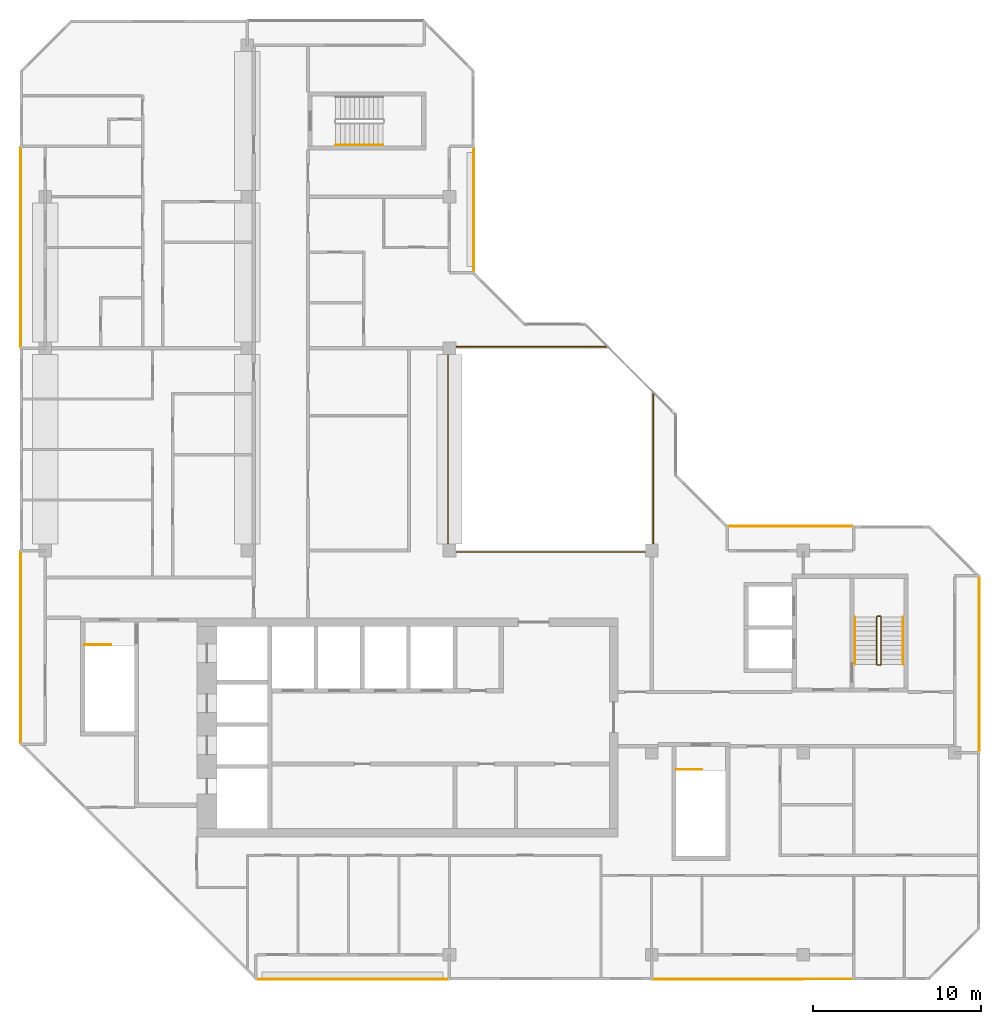
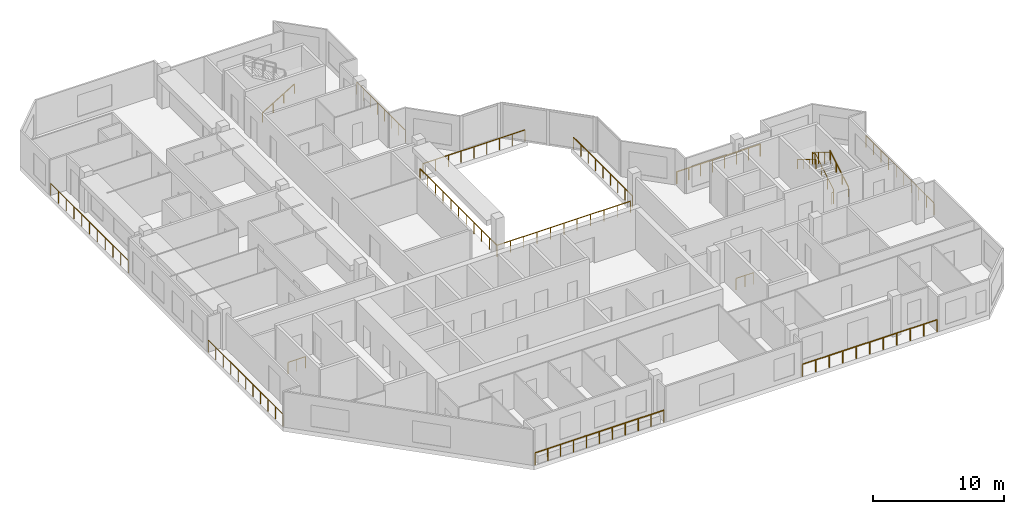
# One storey, part 10 of 11: 16 railings.
"""IFC4 building model written with IfcOpenShell, lengths in metres."""

from ifc_helpers import new_model, si_unit, direction, frame, origin, origin_2d, place, context, subcontext, project, spatial, rectangle, extrude, material, type_object, element, save


model = new_model("IFC4")

# Units and contexts
model_context = context("Model", 3, precision=1e-05, world=origin(), true_north=direction((0.0, 1.0)))
body_context = subcontext(model_context, "Body", "Model", "MODEL_VIEW")
ifc_project = project(units=[si_unit("LENGTHUNIT", "METRE"), si_unit("AREAUNIT", "SQUARE_METRE"), si_unit("VOLUMEUNIT", "CUBIC_METRE"), si_unit("PLANEANGLEUNIT", "RADIAN"), si_unit("MASSUNIT", "GRAM", prefix="KILO")], contexts=[model_context])

# Site, building, storey
site_placement = place(None, origin())
site = spatial("IfcSite", under=ifc_project, at=site_placement, CompositionType="ELEMENT")
building_placement = place(site_placement, origin())
building = spatial("IfcBuilding", under=site, at=building_placement, Name="Chenar Terraces", CompositionType="ELEMENT")
storey_placement = place(building_placement, frame((0.0, 0.0, 380.14990234375)))
storey = spatial("IfcBuildingStorey", under=building, at=storey_placement, Name="L89", CompositionType="ELEMENT", Elevation=380.14990234375)

# Railings
ifc_material_1 = material(Name="Powder-coated steel", Category="steel")
railing_type_1 = type_object("IfcRailingType", Name="Guard 1100 steel rail with glass infill", PredefinedType="GUARDRAIL", material=ifc_material_1)
railing_1_placement = place(storey_placement, frame((23.89990234375, 35.625, 0.0)))
element("IfcRailing", 1, at=railing_1_placement, inside=storey, type_object=railing_type_1, Name="Guard L89-1", PredefinedType="GUARDRAIL", context=body_context, shape_type="SweptSolid", body=[
    extrude(rectangle(XDim=0.06005859375, YDim=0.06005859375, at=origin_2d()), frame((0.0, 0.0, 1.070068359375), z_axis=(0.0, -1.0, 0.0), x_axis=(1.0, 0.0, 0.0)), (0.0, 0.0, 1.0), 11.72509765625),
    extrude(rectangle(XDim=0.06005859375, YDim=0.06005859375, at=origin_2d()), frame((0.0, -11.72509765625, 1.070068359375), z_axis=(1.0, 0.0, 0.0), x_axis=(0.0, 1.0, 0.0)), (0.0, 0.0, 1.0), 11.72509765625),
    extrude(rectangle(XDim=0.050048828125, YDim=0.050048828125, at=origin_2d()), origin(), (0.0, 0.0, 1.0), 1.0400390625),
    extrude(rectangle(XDim=0.050048828125, YDim=0.050048828125, at=origin_2d()), frame((0.0, -1.172607421875, 0.0)), (0.0, 0.0, 1.0), 1.0400390625),
    extrude(rectangle(XDim=0.050048828125, YDim=0.050048828125, at=origin_2d()), frame((0.0, -2.344970703125, 0.0)), (0.0, 0.0, 1.0), 1.0400390625),
    extrude(rectangle(XDim=0.050048828125, YDim=0.050048828125, at=origin_2d()), frame((0.0, -3.517578125, 0.0)), (0.0, 0.0, 1.0), 1.0400390625),
    extrude(rectangle(XDim=0.050048828125, YDim=0.050048828125, at=origin_2d()), frame((0.0, -4.68994140625, 0.0)), (0.0, 0.0, 1.0), 1.0400390625),
    extrude(rectangle(XDim=0.050048828125, YDim=0.050048828125, at=origin_2d()), frame((0.0, -5.862548828125, 0.0)), (0.0, 0.0, 1.0), 1.0400390625),
    extrude(rectangle(XDim=0.050048828125, YDim=0.050048828125, at=origin_2d()), frame((0.0, -7.03515625, 0.0)), (0.0, 0.0, 1.0), 1.0400390625),
    extrude(rectangle(XDim=0.050048828125, YDim=0.050048828125, at=origin_2d()), frame((0.0, -8.20751953125, 0.0)), (0.0, 0.0, 1.0), 1.0400390625),
    extrude(rectangle(XDim=0.050048828125, YDim=0.050048828125, at=origin_2d()), frame((0.0, -9.380126953125, 0.0)), (0.0, 0.0, 1.0), 1.0400390625),
    extrude(rectangle(XDim=0.050048828125, YDim=0.050048828125, at=origin_2d()), frame((0.0, -10.552490234375, 0.0)), (0.0, 0.0, 1.0), 1.0400390625),
    extrude(rectangle(XDim=0.050048828125, YDim=0.050048828125, at=origin_2d()), frame((0.0, -11.72509765625, 0.0)), (0.0, 0.0, 1.0), 1.0400390625),
    extrude(rectangle(XDim=0.050048828125, YDim=0.050048828125, at=origin_2d()), frame((1.172607421875, -11.72509765625, 0.0)), (0.0, 0.0, 1.0), 1.0400390625),
    extrude(rectangle(XDim=0.050048828125, YDim=0.050048828125, at=origin_2d()), frame((2.344970703125, -11.72509765625, 0.0)), (0.0, 0.0, 1.0), 1.0400390625),
    extrude(rectangle(XDim=0.050048828125, YDim=0.050048828125, at=origin_2d()), frame((3.517578125, -11.72509765625, 0.0)), (0.0, 0.0, 1.0), 1.0400390625),
    extrude(rectangle(XDim=0.050048828125, YDim=0.050048828125, at=origin_2d()), frame((4.68994140625, -11.72509765625, 0.0)), (0.0, 0.0, 1.0), 1.0400390625),
    extrude(rectangle(XDim=0.050048828125, YDim=0.050048828125, at=origin_2d()), frame((5.862548828125, -11.72509765625, 0.0)), (0.0, 0.0, 1.0), 1.0400390625),
    extrude(rectangle(XDim=0.050048828125, YDim=0.050048828125, at=origin_2d()), frame((7.03515625, -11.72509765625, 0.0)), (0.0, 0.0, 1.0), 1.0400390625),
    extrude(rectangle(XDim=0.050048828125, YDim=0.050048828125, at=origin_2d()), frame((8.20751953125, -11.72509765625, 0.0)), (0.0, 0.0, 1.0), 1.0400390625),
    extrude(rectangle(XDim=0.050048828125, YDim=0.050048828125, at=origin_2d()), frame((9.380126953125, -11.72509765625, 0.0)), (0.0, 0.0, 1.0), 1.0400390625),
    extrude(rectangle(XDim=0.050048828125, YDim=0.050048828125, at=origin_2d()), frame((10.552490234375, -11.72509765625, 0.0)), (0.0, 0.0, 1.0), 1.0400390625),
    extrude(rectangle(XDim=0.050048828125, YDim=0.050048828125, at=origin_2d()), frame((11.72509765625, -11.72509765625, 0.0)), (0.0, 0.0, 1.0), 1.0400390625),
])
railing_2_placement = place(storey_placement, frame((24.425048828125, 36.10009765625, 0.0)))
element("IfcRailing", 2, at=railing_2_placement, inside=storey, type_object=railing_type_1, Name="Guard L89-2", PredefinedType="GUARDRAIL", context=body_context, shape_type="SweptSolid", body=[
    extrude(rectangle(XDim=0.06005859375, YDim=0.06005859375, at=origin_2d()), frame((0.0, 0.0, 1.070068359375), z_axis=(1.0, 0.0, 0.0), x_axis=(0.0, 1.0, 0.0)), (0.0, 0.0, 1.0), 8.974853515625),
    extrude(rectangle(XDim=0.050048828125, YDim=0.050048828125, at=origin_2d()), origin(), (0.0, 0.0, 1.0), 1.0400390625),
    extrude(rectangle(XDim=0.050048828125, YDim=0.050048828125, at=origin_2d()), frame((1.121826171875, 0.0, 0.0)), (0.0, 0.0, 1.0), 1.0400390625),
    extrude(rectangle(XDim=0.050048828125, YDim=0.050048828125, at=origin_2d()), frame((2.24365234375, 0.0, 0.0)), (0.0, 0.0, 1.0), 1.0400390625),
    extrude(rectangle(XDim=0.050048828125, YDim=0.050048828125, at=origin_2d()), frame((3.365478515625, 0.0, 0.0)), (0.0, 0.0, 1.0), 1.0400390625),
    extrude(rectangle(XDim=0.050048828125, YDim=0.050048828125, at=origin_2d()), frame((4.4873046875, 0.0, 0.0)), (0.0, 0.0, 1.0), 1.0400390625),
    extrude(rectangle(XDim=0.050048828125, YDim=0.050048828125, at=origin_2d()), frame((5.609375, 0.0, 0.0)), (0.0, 0.0, 1.0), 1.0400390625),
    extrude(rectangle(XDim=0.050048828125, YDim=0.050048828125, at=origin_2d()), frame((6.731201171875, 0.0, 0.0)), (0.0, 0.0, 1.0), 1.0400390625),
    extrude(rectangle(XDim=0.050048828125, YDim=0.050048828125, at=origin_2d()), frame((7.85302734375, 0.0, 0.0)), (0.0, 0.0, 1.0), 1.0400390625),
    extrude(rectangle(XDim=0.050048828125, YDim=0.050048828125, at=origin_2d()), frame((8.974853515625, 0.0, 0.0)), (0.0, 0.0, 1.0), 1.0400390625),
])
railing_3_placement = place(storey_placement, frame((36.10009765625, 24.425048828125, 0.0)))
element("IfcRailing", 3, at=railing_3_placement, inside=storey, type_object=railing_type_1, Name="Guard L89-3", PredefinedType="GUARDRAIL", context=body_context, shape_type="SweptSolid", body=[
    extrude(rectangle(XDim=0.06005859375, YDim=0.06005859375, at=origin_2d()), frame((0.0, 0.0, 1.070068359375), z_axis=(0.0, 1.0, 0.0), x_axis=(-1.0, 0.0, 0.0)), (0.0, 0.0, 1.0), 8.974853515625),
    extrude(rectangle(XDim=0.050048828125, YDim=0.050048828125, at=origin_2d()), origin(), (0.0, 0.0, 1.0), 1.0400390625),
    extrude(rectangle(XDim=0.050048828125, YDim=0.050048828125, at=origin_2d()), frame((0.0, 1.121826171875, 0.0)), (0.0, 0.0, 1.0), 1.0400390625),
    extrude(rectangle(XDim=0.050048828125, YDim=0.050048828125, at=origin_2d()), frame((0.0, 2.24365234375, 0.0)), (0.0, 0.0, 1.0), 1.0400390625),
    extrude(rectangle(XDim=0.050048828125, YDim=0.050048828125, at=origin_2d()), frame((0.0, 3.365478515625, 0.0)), (0.0, 0.0, 1.0), 1.0400390625),
    extrude(rectangle(XDim=0.050048828125, YDim=0.050048828125, at=origin_2d()), frame((0.0, 4.4873046875, 0.0)), (0.0, 0.0, 1.0), 1.0400390625),
    extrude(rectangle(XDim=0.050048828125, YDim=0.050048828125, at=origin_2d()), frame((0.0, 5.609375, 0.0)), (0.0, 0.0, 1.0), 1.0400390625),
    extrude(rectangle(XDim=0.050048828125, YDim=0.050048828125, at=origin_2d()), frame((0.0, 6.731201171875, 0.0)), (0.0, 0.0, 1.0), 1.0400390625),
    extrude(rectangle(XDim=0.050048828125, YDim=0.050048828125, at=origin_2d()), frame((0.0, 7.85302734375, 0.0)), (0.0, 0.0, 1.0), 1.0400390625),
    extrude(rectangle(XDim=0.050048828125, YDim=0.050048828125, at=origin_2d()), frame((0.0, 8.974853515625, 0.0)), (0.0, 0.0, 1.0), 1.0400390625),
])
ifc_material_2 = material(Name="Stainless steel and glass", Category="steel")
railing_type_2 = type_object("IfcRailingType", Name="Loggia guard 1150", PredefinedType="GUARDRAIL", material=ifc_material_2)
railing_4_placement = place(storey_placement, frame((25.449951171875, 40.574951171875, 0.0)))
element("IfcRailing", 4, at=railing_4_placement, inside=storey, type_object=railing_type_2, Name="Loggia guard", PredefinedType="GUARDRAIL", context=body_context, shape_type="SweptSolid", body=[
    extrude(rectangle(XDim=0.048095703125, YDim=0.048095703125, at=origin_2d()), frame((0.0, 0.0, 1.1259765625), z_axis=(0.0, 1.0, 0.0), x_axis=(-1.0, 0.0, 0.0)), (0.0, 0.0, 1.0), 7.35009765625),
    extrude(rectangle(XDim=0.0419921875, YDim=0.0419921875, at=origin_2d()), origin(), (0.0, 0.0, 1.0), 1.101806640625),
    extrude(rectangle(XDim=0.0419921875, YDim=0.0419921875, at=origin_2d()), frame((0.0, 1.050048828125, 0.0)), (0.0, 0.0, 1.0), 1.101806640625),
    extrude(rectangle(XDim=0.0419921875, YDim=0.0419921875, at=origin_2d()), frame((0.0, 2.10009765625, 0.0)), (0.0, 0.0, 1.0), 1.101806640625),
    extrude(rectangle(XDim=0.0419921875, YDim=0.0419921875, at=origin_2d()), frame((0.0, 3.150146484375, 0.0)), (0.0, 0.0, 1.0), 1.101806640625),
    extrude(rectangle(XDim=0.0419921875, YDim=0.0419921875, at=origin_2d()), frame((0.0, 4.199951171875, 0.0)), (0.0, 0.0, 1.0), 1.101806640625),
    extrude(rectangle(XDim=0.0419921875, YDim=0.0419921875, at=origin_2d()), frame((0.0, 5.25, 0.0)), (0.0, 0.0, 1.0), 1.101806640625),
    extrude(rectangle(XDim=0.0419921875, YDim=0.0419921875, at=origin_2d()), frame((0.0, 6.300048828125, 0.0)), (0.0, 0.0, 1.0), 1.101806640625),
    extrude(rectangle(XDim=0.0419921875, YDim=0.0419921875, at=origin_2d()), frame((0.0, 7.35009765625, 0.0)), (0.0, 0.0, 1.0), 1.101806640625),
])
railing_5_placement = place(storey_placement, frame((55.449951171875, 12.074951171875, 0.0)))
element("IfcRailing", 5, at=railing_5_placement, inside=storey, type_object=railing_type_2, Name="Loggia guard", PredefinedType="GUARDRAIL", context=body_context, shape_type="SweptSolid", body=[
    extrude(rectangle(XDim=0.048095703125, YDim=0.048095703125, at=origin_2d()), frame((0.0, 0.0, 1.1259765625), z_axis=(0.0, 1.0, 0.0), x_axis=(-1.0, 0.0, 0.0)), (0.0, 0.0, 1.0), 10.35009765625),
    extrude(rectangle(XDim=0.0419921875, YDim=0.0419921875, at=origin_2d()), origin(), (0.0, 0.0, 1.0), 1.101806640625),
    extrude(rectangle(XDim=0.0419921875, YDim=0.0419921875, at=origin_2d()), frame((0.0, 1.14990234375, 0.0)), (0.0, 0.0, 1.0), 1.101806640625),
    extrude(rectangle(XDim=0.0419921875, YDim=0.0419921875, at=origin_2d()), frame((0.0, 2.300048828125, 0.0)), (0.0, 0.0, 1.0), 1.101806640625),
    extrude(rectangle(XDim=0.0419921875, YDim=0.0419921875, at=origin_2d()), frame((0.0, 3.449951171875, 0.0)), (0.0, 0.0, 1.0), 1.101806640625),
    extrude(rectangle(XDim=0.0419921875, YDim=0.0419921875, at=origin_2d()), frame((0.0, 4.60009765625, 0.0)), (0.0, 0.0, 1.0), 1.101806640625),
    extrude(rectangle(XDim=0.0419921875, YDim=0.0419921875, at=origin_2d()), frame((0.0, 5.75, 0.0)), (0.0, 0.0, 1.0), 1.101806640625),
    extrude(rectangle(XDim=0.0419921875, YDim=0.0419921875, at=origin_2d()), frame((0.0, 6.900146484375, 0.0)), (0.0, 0.0, 1.0), 1.101806640625),
    extrude(rectangle(XDim=0.0419921875, YDim=0.0419921875, at=origin_2d()), frame((0.0, 8.050048828125, 0.0)), (0.0, 0.0, 1.0), 1.101806640625),
    extrude(rectangle(XDim=0.0419921875, YDim=0.0419921875, at=origin_2d()), frame((0.0, 9.2001953125, 0.0)), (0.0, 0.0, 1.0), 1.101806640625),
    extrude(rectangle(XDim=0.0419921875, YDim=0.0419921875, at=origin_2d()), frame((0.0, 10.35009765625, 0.0)), (0.0, 0.0, 1.0), 1.101806640625),
])
railing_6_placement = place(storey_placement, frame((47.925048828125, 25.449951171875, 0.0)))
element("IfcRailing", 6, at=railing_6_placement, inside=storey, type_object=railing_type_2, Name="Loggia guard", PredefinedType="GUARDRAIL", context=body_context, shape_type="SweptSolid", body=[
    extrude(rectangle(XDim=0.048095703125, YDim=0.048095703125, at=origin_2d()), frame((0.0, 0.0, 1.1259765625), z_axis=(-1.0, 0.0, 0.0), x_axis=(0.0, -1.0, 0.0)), (0.0, 0.0, 1.0), 7.35009765625),
    extrude(rectangle(XDim=0.0419921875, YDim=0.0419921875, at=origin_2d()), origin(), (0.0, 0.0, 1.0), 1.101806640625),
    extrude(rectangle(XDim=0.0419921875, YDim=0.0419921875, at=origin_2d()), frame((-1.050048828125, 0.0, 0.0)), (0.0, 0.0, 1.0), 1.101806640625),
    extrude(rectangle(XDim=0.0419921875, YDim=0.0419921875, at=origin_2d()), frame((-2.10009765625, 0.0, 0.0)), (0.0, 0.0, 1.0), 1.101806640625),
    extrude(rectangle(XDim=0.0419921875, YDim=0.0419921875, at=origin_2d()), frame((-3.150146484375, 0.0, 0.0)), (0.0, 0.0, 1.0), 1.101806640625),
    extrude(rectangle(XDim=0.0419921875, YDim=0.0419921875, at=origin_2d()), frame((-4.199951171875, 0.0, 0.0)), (0.0, 0.0, 1.0), 1.101806640625),
    extrude(rectangle(XDim=0.0419921875, YDim=0.0419921875, at=origin_2d()), frame((-5.25, 0.0, 0.0)), (0.0, 0.0, 1.0), 1.101806640625),
    extrude(rectangle(XDim=0.0419921875, YDim=0.0419921875, at=origin_2d()), frame((-6.300048828125, 0.0, 0.0)), (0.0, 0.0, 1.0), 1.101806640625),
    extrude(rectangle(XDim=0.0419921875, YDim=0.0419921875, at=origin_2d()), frame((-7.35009765625, 0.0, 0.0)), (0.0, 0.0, 1.0), 1.101806640625),
])
railing_7_placement = place(storey_placement, frame((12.574951171875, -1.449951171875, 0.0)))
element("IfcRailing", 7, at=railing_7_placement, inside=storey, type_object=railing_type_2, Name="Loggia guard", PredefinedType="GUARDRAIL", context=body_context, shape_type="SweptSolid", body=[
    extrude(rectangle(XDim=0.048095703125, YDim=0.048095703125, at=origin_2d()), frame((0.0, 0.0, 1.1259765625), z_axis=(1.0, 0.0, 0.0), x_axis=(0.0, 1.0, 0.0)), (0.0, 0.0, 1.0), 11.35009765625),
    extrude(rectangle(XDim=0.0419921875, YDim=0.0419921875, at=origin_2d()), origin(), (0.0, 0.0, 1.0), 1.101806640625),
    extrude(rectangle(XDim=0.0419921875, YDim=0.0419921875, at=origin_2d()), frame((1.135009765625, 0.0, 0.0)), (0.0, 0.0, 1.0), 1.101806640625),
    extrude(rectangle(XDim=0.0419921875, YDim=0.0419921875, at=origin_2d()), frame((2.27001953125, 0.0, 0.0)), (0.0, 0.0, 1.0), 1.101806640625),
    extrude(rectangle(XDim=0.0419921875, YDim=0.0419921875, at=origin_2d()), frame((3.405029296875, 0.0, 0.0)), (0.0, 0.0, 1.0), 1.101806640625),
    extrude(rectangle(XDim=0.0419921875, YDim=0.0419921875, at=origin_2d()), frame((4.5400390625, 0.0, 0.0)), (0.0, 0.0, 1.0), 1.101806640625),
    extrude(rectangle(XDim=0.0419921875, YDim=0.0419921875, at=origin_2d()), frame((5.675048828125, 0.0, 0.0)), (0.0, 0.0, 1.0), 1.101806640625),
    extrude(rectangle(XDim=0.0419921875, YDim=0.0419921875, at=origin_2d()), frame((6.81005859375, 0.0, 0.0)), (0.0, 0.0, 1.0), 1.101806640625),
    extrude(rectangle(XDim=0.0419921875, YDim=0.0419921875, at=origin_2d()), frame((7.945068359375, 0.0, 0.0)), (0.0, 0.0, 1.0), 1.101806640625),
    extrude(rectangle(XDim=0.0419921875, YDim=0.0419921875, at=origin_2d()), frame((9.080078125, 0.0, 0.0)), (0.0, 0.0, 1.0), 1.101806640625),
    extrude(rectangle(XDim=0.0419921875, YDim=0.0419921875, at=origin_2d()), frame((10.215087890625, 0.0, 0.0)), (0.0, 0.0, 1.0), 1.101806640625),
    extrude(rectangle(XDim=0.0419921875, YDim=0.0419921875, at=origin_2d()), frame((11.35009765625, 0.0, 0.0)), (0.0, 0.0, 1.0), 1.101806640625),
])
railing_8_placement = place(storey_placement, frame((36.074951171875, -1.449951171875, 0.0)))
element("IfcRailing", 8, at=railing_8_placement, inside=storey, type_object=railing_type_2, Name="Loggia guard", PredefinedType="GUARDRAIL", context=body_context, shape_type="SweptSolid", body=[
    extrude(rectangle(XDim=0.048095703125, YDim=0.048095703125, at=origin_2d()), frame((0.0, 0.0, 1.1259765625), z_axis=(1.0, 0.0, 0.0), x_axis=(0.0, 1.0, 0.0)), (0.0, 0.0, 1.0), 11.85009765625),
    extrude(rectangle(XDim=0.0419921875, YDim=0.0419921875, at=origin_2d()), origin(), (0.0, 0.0, 1.0), 1.101806640625),
    extrude(rectangle(XDim=0.0419921875, YDim=0.0419921875, at=origin_2d()), frame((1.18505859375, 0.0, 0.0)), (0.0, 0.0, 1.0), 1.101806640625),
    extrude(rectangle(XDim=0.0419921875, YDim=0.0419921875, at=origin_2d()), frame((2.3701171875, 0.0, 0.0)), (0.0, 0.0, 1.0), 1.101806640625),
    extrude(rectangle(XDim=0.0419921875, YDim=0.0419921875, at=origin_2d()), frame((3.554931640625, 0.0, 0.0)), (0.0, 0.0, 1.0), 1.101806640625),
    extrude(rectangle(XDim=0.0419921875, YDim=0.0419921875, at=origin_2d()), frame((4.739990234375, 0.0, 0.0)), (0.0, 0.0, 1.0), 1.101806640625),
    extrude(rectangle(XDim=0.0419921875, YDim=0.0419921875, at=origin_2d()), frame((5.925048828125, 0.0, 0.0)), (0.0, 0.0, 1.0), 1.101806640625),
    extrude(rectangle(XDim=0.0419921875, YDim=0.0419921875, at=origin_2d()), frame((7.110107421875, 0.0, 0.0)), (0.0, 0.0, 1.0), 1.101806640625),
    extrude(rectangle(XDim=0.0419921875, YDim=0.0419921875, at=origin_2d()), frame((8.295166015625, 0.0, 0.0)), (0.0, 0.0, 1.0), 1.101806640625),
    extrude(rectangle(XDim=0.0419921875, YDim=0.0419921875, at=origin_2d()), frame((9.47998046875, 0.0, 0.0)), (0.0, 0.0, 1.0), 1.101806640625),
    extrude(rectangle(XDim=0.0419921875, YDim=0.0419921875, at=origin_2d()), frame((10.6650390625, 0.0, 0.0)), (0.0, 0.0, 1.0), 1.101806640625),
    extrude(rectangle(XDim=0.0419921875, YDim=0.0419921875, at=origin_2d()), frame((11.85009765625, 0.0, 0.0)), (0.0, 0.0, 1.0), 1.101806640625),
])
railing_9_placement = place(storey_placement, frame((-1.449951171875, 47.925048828125, 0.0)))
element("IfcRailing", 9, at=railing_9_placement, inside=storey, type_object=railing_type_2, Name="Loggia guard", PredefinedType="GUARDRAIL", context=body_context, shape_type="SweptSolid", body=[
    extrude(rectangle(XDim=0.048095703125, YDim=0.048095703125, at=origin_2d()), frame((0.0, 0.0, 1.1259765625), z_axis=(0.0, -1.0, 0.0), x_axis=(1.0, 0.0, 0.0)), (0.0, 0.0, 1.0), 11.85009765625),
    extrude(rectangle(XDim=0.0419921875, YDim=0.0419921875, at=origin_2d()), origin(), (0.0, 0.0, 1.0), 1.101806640625),
    extrude(rectangle(XDim=0.0419921875, YDim=0.0419921875, at=origin_2d()), frame((0.0, -1.18505859375, 0.0)), (0.0, 0.0, 1.0), 1.101806640625),
    extrude(rectangle(XDim=0.0419921875, YDim=0.0419921875, at=origin_2d()), frame((0.0, -2.3701171875, 0.0)), (0.0, 0.0, 1.0), 1.101806640625),
    extrude(rectangle(XDim=0.0419921875, YDim=0.0419921875, at=origin_2d()), frame((0.0, -3.554931640625, 0.0)), (0.0, 0.0, 1.0), 1.101806640625),
    extrude(rectangle(XDim=0.0419921875, YDim=0.0419921875, at=origin_2d()), frame((0.0, -4.739990234375, 0.0)), (0.0, 0.0, 1.0), 1.101806640625),
    extrude(rectangle(XDim=0.0419921875, YDim=0.0419921875, at=origin_2d()), frame((0.0, -5.925048828125, 0.0)), (0.0, 0.0, 1.0), 1.101806640625),
    extrude(rectangle(XDim=0.0419921875, YDim=0.0419921875, at=origin_2d()), frame((0.0, -7.110107421875, 0.0)), (0.0, 0.0, 1.0), 1.101806640625),
    extrude(rectangle(XDim=0.0419921875, YDim=0.0419921875, at=origin_2d()), frame((0.0, -8.295166015625, 0.0)), (0.0, 0.0, 1.0), 1.101806640625),
    extrude(rectangle(XDim=0.0419921875, YDim=0.0419921875, at=origin_2d()), frame((0.0, -9.47998046875, 0.0)), (0.0, 0.0, 1.0), 1.101806640625),
    extrude(rectangle(XDim=0.0419921875, YDim=0.0419921875, at=origin_2d()), frame((0.0, -10.6650390625, 0.0)), (0.0, 0.0, 1.0), 1.101806640625),
    extrude(rectangle(XDim=0.0419921875, YDim=0.0419921875, at=origin_2d()), frame((0.0, -11.85009765625, 0.0)), (0.0, 0.0, 1.0), 1.101806640625),
])
railing_10_placement = place(storey_placement, frame((-1.449951171875, 23.925048828125, 0.0)))
element("IfcRailing", 10, at=railing_10_placement, inside=storey, type_object=railing_type_2, Name="Loggia guard", PredefinedType="GUARDRAIL", context=body_context, shape_type="SweptSolid", body=[
    extrude(rectangle(XDim=0.048095703125, YDim=0.048095703125, at=origin_2d()), frame((0.0, 0.0, 1.1259765625), z_axis=(0.0, -1.0, 0.0), x_axis=(1.0, 0.0, 0.0)), (0.0, 0.0, 1.0), 11.35009765625),
    extrude(rectangle(XDim=0.0419921875, YDim=0.0419921875, at=origin_2d()), origin(), (0.0, 0.0, 1.0), 1.101806640625),
    extrude(rectangle(XDim=0.0419921875, YDim=0.0419921875, at=origin_2d()), frame((0.0, -1.135009765625, 0.0)), (0.0, 0.0, 1.0), 1.101806640625),
    extrude(rectangle(XDim=0.0419921875, YDim=0.0419921875, at=origin_2d()), frame((0.0, -2.27001953125, 0.0)), (0.0, 0.0, 1.0), 1.101806640625),
    extrude(rectangle(XDim=0.0419921875, YDim=0.0419921875, at=origin_2d()), frame((0.0, -3.405029296875, 0.0)), (0.0, 0.0, 1.0), 1.101806640625),
    extrude(rectangle(XDim=0.0419921875, YDim=0.0419921875, at=origin_2d()), frame((0.0, -4.5400390625, 0.0)), (0.0, 0.0, 1.0), 1.101806640625),
    extrude(rectangle(XDim=0.0419921875, YDim=0.0419921875, at=origin_2d()), frame((0.0, -5.675048828125, 0.0)), (0.0, 0.0, 1.0), 1.101806640625),
    extrude(rectangle(XDim=0.0419921875, YDim=0.0419921875, at=origin_2d()), frame((0.0, -6.81005859375, 0.0)), (0.0, 0.0, 1.0), 1.101806640625),
    extrude(rectangle(XDim=0.0419921875, YDim=0.0419921875, at=origin_2d()), frame((0.0, -7.945068359375, 0.0)), (0.0, 0.0, 1.0), 1.101806640625),
    extrude(rectangle(XDim=0.0419921875, YDim=0.0419921875, at=origin_2d()), frame((0.0, -9.080078125, 0.0)), (0.0, 0.0, 1.0), 1.101806640625),
    extrude(rectangle(XDim=0.0419921875, YDim=0.0419921875, at=origin_2d()), frame((0.0, -10.215087890625, 0.0)), (0.0, 0.0, 1.0), 1.101806640625),
    extrude(rectangle(XDim=0.0419921875, YDim=0.0419921875, at=origin_2d()), frame((0.0, -11.35009765625, 0.0)), (0.0, 0.0, 1.0), 1.101806640625),
])
ifc_material_3 = material(Name="Powder-coated steel", Category="steel")
railing_type_3 = type_object("IfcRailingType", Name="Stair guard 1100", PredefinedType="GUARDRAIL", material=ifc_material_3)
railing_11_placement = place(storey_placement, frame((3.89990234375, 18.39990234375, 0.0)))
element("IfcRailing", 11, at=railing_11_placement, inside=storey, type_object=railing_type_3, Name="L89 ST1 top well guard 1", PredefinedType="GUARDRAIL", context=body_context, shape_type="SweptSolid", body=[
    extrude(rectangle(XDim=0.048095703125, YDim=0.048095703125, at=origin_2d()), frame((0.0, 0.0, 1.076171875), z_axis=(-1.0, 0.0, 0.0), x_axis=(0.0, -1.0, 0.0)), (0.0, 0.0, 1.0), 1.5498046875),
    extrude(rectangle(XDim=0.0419921875, YDim=0.0419921875, at=origin_2d()), origin(), (0.0, 0.0, 1.0), 1.052001953125),
    extrude(rectangle(XDim=0.0419921875, YDim=0.0419921875, at=origin_2d()), frame((-0.77490234375, 0.0, 0.0)), (0.0, 0.0, 1.0), 1.052001953125),
    extrude(rectangle(XDim=0.0419921875, YDim=0.0419921875, at=origin_2d()), frame((-1.5498046875, 0.0, 0.0)), (0.0, 0.0, 1.0), 1.052001953125),
])
railing_12_placement = place(storey_placement, frame((39.0, 11.0, 0.0)))
element("IfcRailing", 12, at=railing_12_placement, inside=storey, type_object=railing_type_3, Name="L89 ST2 top well guard 1", PredefinedType="GUARDRAIL", context=body_context, shape_type="SweptSolid", body=[
    extrude(rectangle(XDim=0.048095703125, YDim=0.048095703125, at=origin_2d()), frame((0.0, 0.0, 1.076171875), z_axis=(-1.0, 0.0, 0.0), x_axis=(0.0, -1.0, 0.0)), (0.0, 0.0, 1.0), 1.550048828125),
    extrude(rectangle(XDim=0.0419921875, YDim=0.0419921875, at=origin_2d()), origin(), (0.0, 0.0, 1.0), 1.052001953125),
    extrude(rectangle(XDim=0.0419921875, YDim=0.0419921875, at=origin_2d()), frame((-0.77490234375, 0.0, 0.0)), (0.0, 0.0, 1.0), 1.052001953125),
    extrude(rectangle(XDim=0.0419921875, YDim=0.0419921875, at=origin_2d()), frame((-1.550048828125, 0.0, 0.0)), (0.0, 0.0, 1.0), 1.052001953125),
])
railing_13_placement = place(storey_placement, frame((49.375, 17.25, 3.75)))
element("IfcRailing", 13, at=railing_13_placement, inside=storey, type_object=railing_type_3, Name="L89 ST3 stair guard 1", PredefinedType="GUARDRAIL", context=body_context, shape_type="SweptSolid", body=[
    extrude(rectangle(XDim=0.048095703125, YDim=0.048095703125, at=origin_2d()), frame((0.0, 0.0, 1.076171875), z_axis=(0.0, 0.854202870247, -0.519939858505), x_axis=(-1.0, 0.0, 0.0)), (0.0, 0.0, 1.0), 3.278076171875),
    extrude(rectangle(XDim=0.048095703125, YDim=0.048095703125, at=origin_2d()), frame((0.0, 2.800048828125, -0.62841796875), z_axis=(0.270899902878, 0.270899902878, -0.923702595667), x_axis=(-0.707106781187, 0.707106781187, 0.0)), (0.0, 0.0, 1.0), 0.184814453125),
    extrude(rectangle(XDim=0.048095703125, YDim=0.048095703125, at=origin_2d()), frame((0.050048828125, 2.85009765625, -0.798828125), z_axis=(1.0, 0.0, 0.0), x_axis=(0.0, 1.0, 0.0)), (0.0, 0.0, 1.0), 0.14990234375),
    extrude(rectangle(XDim=0.048095703125, YDim=0.048095703125, at=origin_2d()), frame((0.199951171875, 2.85009765625, -0.798828125), z_axis=(0.707106781187, -0.707106781187, 0.0), x_axis=(0.707106781187, 0.707106781187, 0.0)), (0.0, 0.0, 1.0), 0.07080078125),
    extrude(rectangle(XDim=0.048095703125, YDim=0.048095703125, at=origin_2d()), frame((0.25, 2.800048828125, -0.798828125), z_axis=(0.0, -0.854202870247, -0.519939858505), x_axis=(1.0, 0.0, 0.0)), (0.0, 0.0, 1.0), 3.278076171875),
    extrude(rectangle(XDim=0.048095703125, YDim=0.048095703125, at=origin_2d()), frame((0.25, 0.0, -2.50341796875), z_axis=(-0.270899902878, -0.270899902878, -0.923702595667), x_axis=(0.707106781187, -0.707106781187, 0.0)), (0.0, 0.0, 1.0), 0.184814453125),
    extrude(rectangle(XDim=0.048095703125, YDim=0.048095703125, at=origin_2d()), frame((0.199951171875, -0.050048828125, -2.673828125), z_axis=(-1.0, 0.0, 0.0), x_axis=(0.0, -1.0, 0.0)), (0.0, 0.0, 1.0), 0.14990234375),
    extrude(rectangle(XDim=0.0419921875, YDim=0.0419921875, at=origin_2d()), origin(), (0.0, 0.0, 1.0), 1.052001953125),
    extrude(rectangle(XDim=0.0419921875, YDim=0.0419921875, at=origin_2d()), frame((0.0, 0.933349609375, -0.568115234375)), (0.0, 0.0, 1.0), 1.052001953125),
    extrude(rectangle(XDim=0.0419921875, YDim=0.0419921875, at=origin_2d()), frame((0.0, 1.86669921875, -1.13623046875)), (0.0, 0.0, 1.0), 1.052001953125),
    extrude(rectangle(XDim=0.0419921875, YDim=0.0419921875, at=origin_2d()), frame((0.0, 2.800048828125, -1.704345703125)), (0.0, 0.0, 1.0), 1.052001953125),
    extrude(rectangle(XDim=0.0419921875, YDim=0.0419921875, at=origin_2d()), frame((0.050048828125, 2.85009765625, -1.875)), (0.0, 0.0, 1.0), 1.052001953125),
    extrude(rectangle(XDim=0.0419921875, YDim=0.0419921875, at=origin_2d()), frame((0.199951171875, 2.85009765625, -1.875)), (0.0, 0.0, 1.0), 1.052001953125),
    extrude(rectangle(XDim=0.0419921875, YDim=0.0419921875, at=origin_2d()), frame((0.25, 2.800048828125, -1.875)), (0.0, 0.0, 1.0), 1.052001953125),
    extrude(rectangle(XDim=0.0419921875, YDim=0.0419921875, at=origin_2d()), frame((0.25, 1.86669921875, -2.443115234375)), (0.0, 0.0, 1.0), 1.052001953125),
    extrude(rectangle(XDim=0.0419921875, YDim=0.0419921875, at=origin_2d()), frame((0.25, 0.933349609375, -3.01123046875)), (0.0, 0.0, 1.0), 1.052001953125),
    extrude(rectangle(XDim=0.0419921875, YDim=0.0419921875, at=origin_2d()), frame((0.25, 0.0, -3.579345703125)), (0.0, 0.0, 1.0), 1.052001953125),
    extrude(rectangle(XDim=0.0419921875, YDim=0.0419921875, at=origin_2d()), frame((0.199951171875, -0.050048828125, -3.75)), (0.0, 0.0, 1.0), 1.052001953125),
    extrude(rectangle(XDim=0.0419921875, YDim=0.0419921875, at=origin_2d()), frame((0.050048828125, -0.050048828125, -3.75)), (0.0, 0.0, 1.0), 1.052001953125),
])
ifc_material_4 = material(Name="Powder-coated steel", Category="steel")
railing_type_4 = type_object("IfcRailingType", Name="Stair handrail 900", PredefinedType="HANDRAIL", material=ifc_material_4)
railing_14_placement = place(storey_placement, frame((50.925048828125, 17.25, 0.170654296875)))
element("IfcRailing", 14, at=railing_14_placement, inside=storey, type_object=railing_type_4, Name="L89 ST3 stair handrail 1", PredefinedType="HANDRAIL", context=body_context, shape_type="SweptSolid", body=[
    extrude(rectangle(XDim=0.048095703125, YDim=0.048095703125, at=origin_2d()), frame((0.0, 0.0, 0.8759765625), z_axis=(0.0, 0.854202870247, 0.519939858505), x_axis=(-1.0, 0.0, 0.0)), (0.0, 0.0, 1.0), 3.278076171875),
    extrude(rectangle(XDim=0.0419921875, YDim=0.0419921875, at=origin_2d()), origin(), (0.0, 0.0, 1.0), 0.851806640625),
    extrude(rectangle(XDim=0.0419921875, YDim=0.0419921875, at=origin_2d()), frame((0.0, 0.933349609375, 0.568115234375)), (0.0, 0.0, 1.0), 0.851806640625),
    extrude(rectangle(XDim=0.0419921875, YDim=0.0419921875, at=origin_2d()), frame((0.0, 1.86669921875, 1.13623046875)), (0.0, 0.0, 1.0), 0.851806640625),
    extrude(rectangle(XDim=0.0419921875, YDim=0.0419921875, at=origin_2d()), frame((0.0, 2.800048828125, 1.704345703125)), (0.0, 0.0, 1.0), 0.851806640625),
])
railing_15_placement = place(storey_placement, frame((48.074951171875, 20.050048828125, 2.045654296875)))
element("IfcRailing", 15, at=railing_15_placement, inside=storey, type_object=railing_type_4, Name="L89 ST3 stair handrail 2", PredefinedType="HANDRAIL", context=body_context, shape_type="SweptSolid", body=[
    extrude(rectangle(XDim=0.048095703125, YDim=0.048095703125, at=origin_2d()), frame((0.0, 0.0, 0.8759765625), z_axis=(0.0, -0.854202870247, 0.519939858505), x_axis=(1.0, 0.0, 0.0)), (0.0, 0.0, 1.0), 3.278076171875),
    extrude(rectangle(XDim=0.0419921875, YDim=0.0419921875, at=origin_2d()), origin(), (0.0, 0.0, 1.0), 0.851806640625),
    extrude(rectangle(XDim=0.0419921875, YDim=0.0419921875, at=origin_2d()), frame((0.0, -0.933349609375, 0.568115234375)), (0.0, 0.0, 1.0), 0.851806640625),
    extrude(rectangle(XDim=0.0419921875, YDim=0.0419921875, at=origin_2d()), frame((0.0, -1.86669921875, 1.13623046875)), (0.0, 0.0, 1.0), 0.851806640625),
    extrude(rectangle(XDim=0.0419921875, YDim=0.0419921875, at=origin_2d()), frame((0.0, -2.800048828125, 1.704345703125)), (0.0, 0.0, 1.0), 0.851806640625),
])
railing_16_placement = place(storey_placement, frame((17.25, 48.074951171875, 0.170654296875)))
element("IfcRailing", 16, at=railing_16_placement, inside=storey, type_object=railing_type_4, Name="L89 ST4 stair handrail 1", PredefinedType="HANDRAIL", context=body_context, shape_type="SweptSolid", body=[
    extrude(rectangle(XDim=0.048095703125, YDim=0.048095703125, at=origin_2d()), frame((0.0, 0.0, 0.8759765625), z_axis=(0.854202870247, 0.0, 0.519939858505), x_axis=(0.0, 1.0, 0.0)), (0.0, 0.0, 1.0), 3.278076171875),
    extrude(rectangle(XDim=0.0419921875, YDim=0.0419921875, at=origin_2d()), origin(), (0.0, 0.0, 1.0), 0.851806640625),
    extrude(rectangle(XDim=0.0419921875, YDim=0.0419921875, at=origin_2d()), frame((0.933349609375, 0.0, 0.568115234375)), (0.0, 0.0, 1.0), 0.851806640625),
    extrude(rectangle(XDim=0.0419921875, YDim=0.0419921875, at=origin_2d()), frame((1.86669921875, 0.0, 1.13623046875)), (0.0, 0.0, 1.0), 0.851806640625),
    extrude(rectangle(XDim=0.0419921875, YDim=0.0419921875, at=origin_2d()), frame((2.800048828125, 0.0, 1.704345703125)), (0.0, 0.0, 1.0), 0.851806640625),
])

save(model, "model.ifc")
